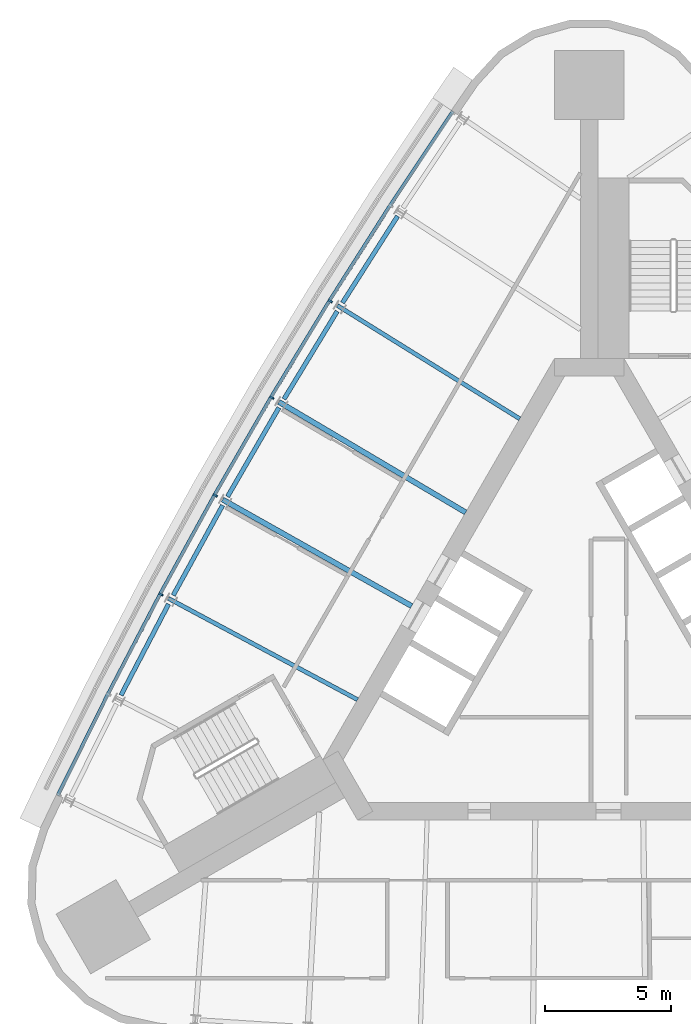
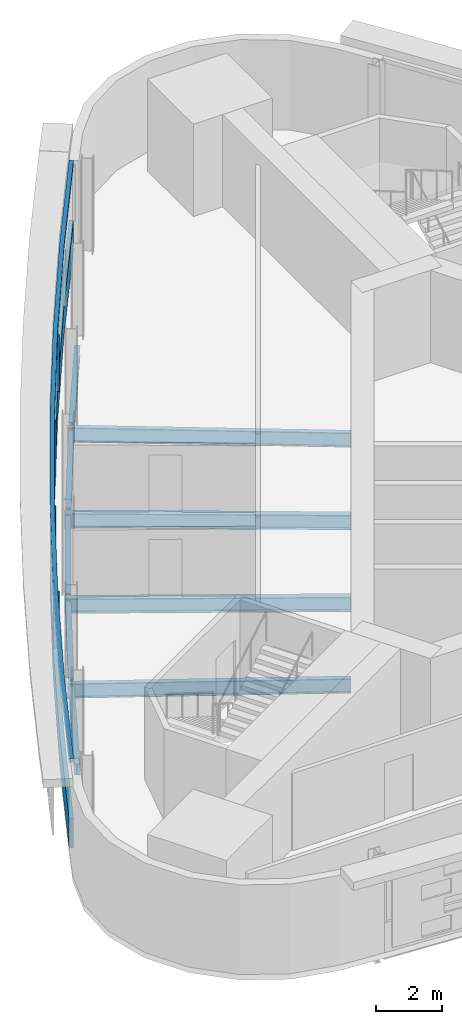
# One storey, part 3 of 12: 9 beams, 6 members, 1 element without a shape of its own.
"""IFC4 building model written with IfcOpenShell, lengths in metres."""

import ifcopenshell
import ifcopenshell.guid

model = None  # the IFC model being written
_history = None  # IfcOwnerHistory: only IFC2X3 demands one
_inside = {}  # id of a spatial element -> (the spatial element, [elements in it])
_under = {}  # id of a project, library or spatial element -> (it, [spatial elements below it])
_declared = {}  # id of a project -> (the project, [libraries it declares])
_typed = {}  # id of a type object -> (the type object, [elements of that type])
_made_of = {}  # id of a material, layer set ... -> (it, [elements and type objects made of it])


def new_model(schema):
    """Start an empty IFC model of exactly this schema.

    Asked for "IFC4X3", IfcOpenShell would pick the latest addendum, in which some entities
    have other attributes; the version numbers below select the first issue.
    IFC2X3 requires an IfcOwnerHistory on every rooted entity: one is made here for all.
    """
    global model, _history
    if schema == "IFC4X3":
        model = ifcopenshell.file(schema_version=(4, 3, 0, 0))
    else:
        model = ifcopenshell.file(schema=schema)
    _inside.clear()
    _under.clear()
    _declared.clear()
    _typed.clear()
    _made_of.clear()
    _history = None
    if model.schema == "IFC2X3":
        org = make("IfcOrganization", Name="unknown")
        user = make(
            "IfcPersonAndOrganization",
            ThePerson=make("IfcPerson", FamilyName="unknown"),
            TheOrganization=org,
        )
        app = make(
            "IfcApplication",
            ApplicationDeveloper=org,
            Version="unknown",
            ApplicationFullName="unknown",
            ApplicationIdentifier="unknown",
        )
        _history = make(
            "IfcOwnerHistory",
            OwningUser=user,
            OwningApplication=app,
            ChangeAction="ADDED",
            CreationDate=0,
        )
    return model


def make(cls, **values):
    """One entity of the class cls with the attributes given. An attribute that is None is left unset."""
    return model.create_entity(
        cls, **{name: value for name, value in values.items() if value is not None}
    )


def rooted(cls, **values):
    """An entity with a GlobalId (a new one), such as an element, a storey or a relation."""
    return make(cls, GlobalId=ifcopenshell.guid.new(), OwnerHistory=_history, **values)


def si_unit(unit_type, name, prefix=None):
    """IfcSIUnit, for example si_unit("LENGTHUNIT", "METRE", prefix="MILLI")."""
    return make("IfcSIUnit", UnitType=unit_type, Prefix=prefix, Name=name)


def assignment(units):
    """IfcUnitAssignment: the units of a project."""
    return None if units is None else make("IfcUnitAssignment", Units=units)


def point(xyz):
    """IfcCartesianPoint."""
    return None if xyz is None else make("IfcCartesianPoint", Coordinates=xyz)


def direction(xyz):
    """IfcDirection."""
    return None if xyz is None else make("IfcDirection", DirectionRatios=xyz)


def frame(location, z_axis=None, x_axis=None):
    """IfcAxis2Placement3D, a coordinate frame: its origin and axes. An axis left out is left unset."""
    return make(
        "IfcAxis2Placement3D",
        Location=point(location),
        Axis=direction(z_axis),
        RefDirection=direction(x_axis),
    )


def frame_2d(location, x_axis=None):
    """IfcAxis2Placement2D, a coordinate frame in the plane: its origin and x axis."""
    return make(
        "IfcAxis2Placement2D", Location=point(location), RefDirection=direction(x_axis)
    )


def origin():
    """The frame at (0, 0, 0) with its axes left unset."""
    return frame((0.0, 0.0, 0.0))


def origin_2d():
    """The frame at (0, 0) in the plane with its x axis left unset."""
    return frame_2d((0.0, 0.0))


def place(relative_to, where):
    """IfcLocalPlacement: puts the frame where relative to a parent placement (None: the world)."""
    return make(
        "IfcLocalPlacement", PlacementRelTo=relative_to, RelativePlacement=where
    )


def context(
    kind, dimensions, precision=None, world=None, true_north=None, identifier=None
):
    """IfcGeometricRepresentationContext, for example the 3D "Model" context."""
    return make(
        "IfcGeometricRepresentationContext",
        ContextIdentifier=identifier,
        ContextType=kind,
        CoordinateSpaceDimension=dimensions,
        Precision=precision,
        WorldCoordinateSystem=world,
        TrueNorth=true_north,
    )


def subcontext(parent, identifier, kind, view, scale=None):
    """IfcGeometricRepresentationSubContext, for example "Body" below "Model"."""
    return make(
        "IfcGeometricRepresentationSubContext",
        ContextIdentifier=identifier,
        ContextType=kind,
        ParentContext=parent,
        TargetScale=scale,
        TargetView=view,
    )


def project(units=None, contexts=None):
    """IfcProject with its units and contexts."""
    return rooted(
        "IfcProject",
        Name="project",
        RepresentationContexts=contexts,
        UnitsInContext=assignment(units),
    )


def spatial(cls, under=None, at=None, **own):
    """A site, building, storey or space (cls), placed at a placement, below another one or the project."""
    s = rooted(cls, ObjectPlacement=at, **own)
    if under is not None:
        _under.setdefault(under.id(), (under, []))[1].append(s)
    return s


def polyline(points):
    """IfcPolyline through the points."""
    return make("IfcPolyline", Points=[point(p) for p in points])


def profile(cls, at=None, kind="AREA", **sizes):
    """A parametric profile (cls). Its sizes go by their IFC names, for example OverallWidth=200.0."""
    return make(cls, ProfileType=kind, Position=at, **sizes)


def rectangle(**sizes):
    """IfcRectangleProfileDef."""
    return profile("IfcRectangleProfileDef", **sizes)


def i_section(**sizes):
    """IfcIShapeProfileDef."""
    return profile("IfcIShapeProfileDef", **sizes)


def outline(outer, holes=None, kind="AREA"):
    """IfcArbitraryClosedProfileDef: a profile drawn as a closed curve; with holes, ...WithVoids."""
    if holes is None:
        return make("IfcArbitraryClosedProfileDef", ProfileType=kind, OuterCurve=outer)
    return make(
        "IfcArbitraryProfileDefWithVoids",
        ProfileType=kind,
        OuterCurve=outer,
        InnerCurves=holes,
    )


def extrude(swept, where, along, depth):
    """IfcExtrudedAreaSolid: the profile swept, set in the frame where, extruded along a direction by depth."""
    return make(
        "IfcExtrudedAreaSolid",
        SweptArea=swept,
        Position=where,
        ExtrudedDirection=direction(along),
        Depth=depth,
    )


def shape(context_of_items, identifier, shape_type, items):
    """IfcShapeRepresentation: the items that make up one representation, for example the "Body"."""
    return make(
        "IfcShapeRepresentation",
        ContextOfItems=context_of_items,
        RepresentationIdentifier=identifier,
        RepresentationType=shape_type,
        Items=items,
    )


def material(Name=None, Category=None):
    """IfcMaterial."""
    return make("IfcMaterial", Name=Name, Category=Category)


def material_profile(
    of_material, cross_section, Name=None, Category=None, Priority=None
):
    """IfcMaterialProfile: a cross section and its material."""
    return make(
        "IfcMaterialProfile",
        Name=Name,
        Material=of_material,
        Profile=cross_section,
        Priority=Priority,
        Category=Category,
    )


def profile_set(profiles, Name=None, composite=None):
    """IfcMaterialProfileSet."""
    return make(
        "IfcMaterialProfileSet",
        Name=Name,
        MaterialProfiles=profiles,
        CompositeProfile=composite,
    )


def made_of(thing, what):
    """Note that an element or type object is made of a material, layer set ...; save() writes the relation."""
    if what is not None:
        _made_of.setdefault(what.id(), (what, []))[1].append(thing)
    return thing


def type_object(cls, material=None, **own):
    """A type object (cls), such as IfcWallType, which elements share."""
    return made_of(rooted(cls, **own), material)


def element(
    cls,
    number,
    at=None,
    inside=None,
    cuts=None,
    type_object=None,
    material=None,
    context=None,
    identifier="Body",
    shape_type=None,
    held_by="IfcProductDefinitionShape",
    body=None,
    shapes=None,
    **own,
):
    """One element of the class cls, such as IfcWall. Its Tag is "e" and its number.

    at: its placement. inside: the storey or other place that contains it. cuts: it is an
    opening in that element (IfcRelVoidsElement). A single representation is given by context,
    identifier, shape_type and body (its items); several are given by shapes. held_by: the class
    of the entity that holds the representations. save() writes the other relations.
    """
    e = rooted(cls, Tag="e%d" % number, ObjectPlacement=at, **own)
    if body is not None:
        shapes = [shape(context, identifier, shape_type, body)]
    if shapes is not None:
        e.Representation = make(held_by, Representations=shapes)
    if inside is not None:
        _inside.setdefault(inside.id(), (inside, []))[1].append(e)
    if cuts is not None:
        rooted(
            "IfcRelVoidsElement", RelatingBuildingElement=cuts, RelatedOpeningElement=e
        )
    if type_object is not None:
        _typed.setdefault(type_object.id(), (type_object, []))[1].append(e)
    return made_of(e, material)


def aggregate(whole, parts):
    """IfcRelAggregates: a whole, such as a stair, and the parts it consists of."""
    return rooted("IfcRelAggregates", RelatingObject=whole, RelatedObjects=parts)


def save(model, path):
    """Write the relations noted so far, then the file.

    IfcRelAggregates (storeys below a building ...), IfcRelContainedInSpatialStructure (elements
    in a storey), IfcRelDefinesByType, IfcRelAssociatesMaterial and IfcRelDeclares: one each for
    every whole, place, type object, material and project.
    """
    for whole, parts in _under.values():
        aggregate(whole, parts)
    for where, things in _inside.values():
        rooted(
            "IfcRelContainedInSpatialStructure",
            RelatedElements=things,
            RelatingStructure=where,
        )
    for kind, things in _typed.values():
        rooted("IfcRelDefinesByType", RelatedObjects=things, RelatingType=kind)
    for what, things in _made_of.values():
        rooted("IfcRelAssociatesMaterial", RelatedObjects=things, RelatingMaterial=what)
    for by, libraries in _declared.values():
        rooted("IfcRelDeclares", RelatingContext=by, RelatedDefinitions=libraries)
    model.write(path)


model = new_model("IFC4")

# Units and contexts
model_context = context("Model", 3, precision=1e-05, world=origin(), true_north=direction((0.0, 1.0)))
body_context = subcontext(model_context, "Body", "Model", "MODEL_VIEW")
ifc_project = project(units=[si_unit("LENGTHUNIT", "METRE"), si_unit("AREAUNIT", "SQUARE_METRE"), si_unit("VOLUMEUNIT", "CUBIC_METRE"), si_unit("PLANEANGLEUNIT", "RADIAN"), si_unit("MASSUNIT", "GRAM", prefix="KILO")], contexts=[model_context])

# Site, building, storey
site_placement = place(None, origin())
site = spatial("IfcSite", under=ifc_project, at=site_placement, CompositionType="ELEMENT")
building_placement = place(site_placement, origin())
building = spatial("IfcBuilding", under=site, at=building_placement, Name="Noor Cloister Tower", CompositionType="ELEMENT")
storey_placement = place(building_placement, frame((0.0, 0.0, 188.699951171875)))
storey = spatial("IfcBuildingStorey", under=building, at=storey_placement, Name="L48", CompositionType="ELEMENT", Elevation=188.699951171875)

# Curtain wall, members
ifc_material_1 = material(Name="Aluminium 6063-T6 anodised", Category="aluminium")
curtain_wall_type = type_object("IfcCurtainWallType", Name="Ribbon curtain wall, upper tower CW5", PredefinedType="NOTDEFINED", material=ifc_material_1)
curtain_wall_placement = place(storey_placement, origin())
curtain_wall = element("IfcCurtainWall", 1, at=curtain_wall_placement, inside=storey, type_object=curtain_wall_type, Name="CW5 L48 NW run 1", PredefinedType="NOTDEFINED")
ifc_material_2 = material(Name="Aluminium 6063-T6 anodised", Category="aluminium")
member_type_1 = type_object("IfcMemberType", Name="Head transom CW5 150", PredefinedType="USERDEFINED", material=ifc_material_2)
member_1_placement = place(storey_placement, frame((0.0, 0.0, 3.150146484375)))
member_1 = element("IfcMember", 2, at=member_1_placement, type_object=member_type_1, Name="CW5 head transom", ObjectType="TRANSOM", PredefinedType="USERDEFINED", context=body_context, shape_type="SweptSolid", body=[
    extrude(outline(polyline([(-5.494384765625, 21.341552734375), (-7.98974609375, 17.59716796875), (-10.404541015625, 13.7998046875), (-12.7373046875, 9.951904296875), (-14.9873046875, 6.054931640625), (-17.1533203125, 2.110595703125), (-19.234375, -1.879150390625), (-21.2294921875, -5.91259765625), (-21.10400390625, -5.974609375), (-19.109619140625, -1.942626953125), (-17.02978515625, 2.04443359375), (-14.865234375, 5.986083984375), (-12.61669921875, 9.880615234375), (-10.285400390625, 13.72607421875), (-7.872314453125, 17.520751953125), (-5.3779296875, 21.263916015625), (-5.494384765625, 21.341552734375)])), origin(), (0.0, 0.0, 1.0), 0.14990234375),
])
ifc_material_3 = material(Name="Aluminium 6063-T6 anodised", Category="aluminium")
ifc_material_profile_1 = material_profile(ifc_material_3, rectangle(XDim=0.179931640625, YDim=0.070068359375, at=origin_2d()), Name="180 x 70 mullion")
ifc_profile_set_1 = profile_set([ifc_material_profile_1], Name="Aluminium 6063-T6 anodised")
member_type_2 = type_object("IfcMemberType", Name="Mullion CW5 70 x 180", PredefinedType="MULLION", material=ifc_profile_set_1)
member_2_placement = place(storey_placement, frame((-10.319580078125, 13.7470703125, 1.10009765625), z_axis=(0.0, 0.0, 1.0), x_axis=(0.849525641799, -0.527547328612, 0.0)))
member_2 = element("IfcMember", 3, at=member_2_placement, type_object=member_type_2, Name="CW5 mullion 3", PredefinedType="MULLION", context=body_context, shape_type="SweptSolid", body=[
    extrude(rectangle(XDim=0.179931640625, YDim=0.070068359375, at=origin_2d()), origin(), (0.0, 0.0, 1.0), 2.050048828125),
])
member_3_placement = place(storey_placement, frame((-12.651123046875, 9.90087890625, 1.10009765625), z_axis=(0.0, 0.0, 1.0), x_axis=(0.860623876199, -0.509241144957, 0.0)))
member_3 = element("IfcMember", 4, at=member_3_placement, type_object=member_type_2, Name="CW5 mullion 4", PredefinedType="MULLION", context=body_context, shape_type="SweptSolid", body=[
    extrude(rectangle(XDim=0.179931640625, YDim=0.070068359375, at=origin_2d()), origin(), (0.0, 0.0, 1.0), 2.050048828125),
])
member_4_placement = place(storey_placement, frame((-14.900146484375, 6.005859375, 1.10009765625), z_axis=(0.0, 0.0, 1.0), x_axis=(0.871327706284, -0.490701567413, 0.0)))
member_4 = element("IfcMember", 5, at=member_4_placement, type_object=member_type_2, Name="CW5 mullion 5", PredefinedType="MULLION", context=body_context, shape_type="SweptSolid", body=[
    extrude(rectangle(XDim=0.179931640625, YDim=0.070068359375, at=origin_2d()), origin(), (0.0, 0.0, 1.0), 2.050048828125),
])
member_5_placement = place(storey_placement, frame((-17.065185546875, 2.0634765625, 1.10009765625), z_axis=(0.0, 0.0, 1.0), x_axis=(0.881632209176, -0.471937122659, 0.0)))
member_5 = element("IfcMember", 6, at=member_5_placement, type_object=member_type_2, Name="CW5 mullion 6", PredefinedType="MULLION", context=body_context, shape_type="SweptSolid", body=[
    extrude(rectangle(XDim=0.179931640625, YDim=0.070068359375, at=origin_2d()), origin(), (0.0, 0.0, 1.0), 2.050048828125),
])

# Beams
ifc_material_4 = material(Name="Steel ASTM A992 Gr 50", Category="steel")
ifc_material_profile_2 = material_profile(ifc_material_4, i_section(OverallWidth=0.166015625, OverallDepth=0.528076171875, WebThickness=0.009765625, FlangeThickness=0.013671875, FilletRadius=0.0126953125, at=origin_2d()), Name="W530x74")
ifc_profile_set_2 = profile_set([ifc_material_profile_2], Name="Steel ASTM A992 Gr 50")
beam_type_1 = type_object("IfcBeamType", Name="Radial beam W530x74", PredefinedType="BEAM", material=ifc_profile_set_2)
beam_1_placement = place(storey_placement, frame((-10.032470703125, 13.56884765625, -0.4638671875), z_axis=(0.849528515527, -0.527542700932, 0.0), x_axis=(0.527542700932, 0.849528515527, 0.0)))
element("IfcBeam", 7, at=beam_1_placement, inside=storey, type_object=beam_type_1, Name="Radial beam NW 03 L48", PredefinedType="BEAM", context=body_context, shape_type="SweptSolid", body=[
    extrude(i_section(OverallWidth=0.166015625, OverallDepth=0.528076171875, WebThickness=0.009765625, FlangeThickness=0.013671875, FilletRadius=0.0126953125, at=origin_2d()), origin(), (0.0, 0.0, 1.0), 8.549072265625),
])
beam_2_placement = place(storey_placement, frame((-16.76708984375, 1.90380859375, -0.4638671875), z_axis=(0.88163488664, -0.471932120817, 0.0), x_axis=(0.471932120817, 0.88163488664, 0.0)))
element("IfcBeam", 8, at=beam_2_placement, inside=storey, type_object=beam_type_1, Name="Radial beam NW 06 L48", PredefinedType="BEAM", context=body_context, shape_type="SweptSolid", body=[
    extrude(i_section(OverallWidth=0.166015625, OverallDepth=0.528076171875, WebThickness=0.009765625, FlangeThickness=0.013671875, FilletRadius=0.0126953125, at=origin_2d()), origin(), (0.0, 0.0, 1.0), 8.548828125),
])
ifc_material_5 = material(Name="Steel ASTM A992 Gr 50", Category="steel")
ifc_material_profile_3 = material_profile(ifc_material_5, i_section(OverallWidth=0.208984375, OverallDepth=0.532958984375, WebThickness=0.01025390625, FlangeThickness=0.015625, FilletRadius=0.0126953125, at=origin_2d()), Name="W530x92")
ifc_profile_set_3 = profile_set([ifc_material_profile_3], Name="Steel ASTM A992 Gr 50")
beam_type_2 = type_object("IfcBeamType", Name="Radial beam W530x92", PredefinedType="BEAM", material=ifc_profile_set_3)
for number, where, z_axis, x_axis, name in (
    (9, (-12.3603515625, 9.728759765625, -0.466552734375), (0.860625455568, -0.509238475794, 0.0), (0.509238475794, 0.860625455568, 0.0), "Radial beam NW 04 L48"),
    (10, (-14.605712890625, 5.83984375, -0.466552734375), (0.871340018191, -0.490679704796, 0.0), (0.490679704796, 0.871340018191, 0.0), "Radial beam NW 05 L48"),
):
    element("IfcBeam", number, at=place(storey_placement, frame(where, z_axis=z_axis, x_axis=x_axis)), inside=storey, type_object=beam_type_2, Name=name, PredefinedType="BEAM", context=body_context, shape_type="SweptSolid", body=[
        extrude(i_section(OverallWidth=0.208984375, OverallDepth=0.532958984375, WebThickness=0.01025390625, FlangeThickness=0.015625, FilletRadius=0.0126953125, at=origin_2d()), origin(), (0.0, 0.0, 1.0), 8.64111328125),
    ])

# Member
ifc_material_6 = material(Name="Aluminium 6063-T6 anodised", Category="aluminium")
member_type_3 = type_object("IfcMemberType", Name="Sill transom CW5 1100", PredefinedType="USERDEFINED", material=ifc_material_6)
member_6_placement = place(storey_placement, origin())
member_6 = element("IfcMember", 11, at=member_6_placement, type_object=member_type_3, Name="CW5 sill transom", ObjectType="TRANSOM", PredefinedType="USERDEFINED", context=body_context, shape_type="SweptSolid", body=[
    extrude(outline(polyline([(-5.494384765625, 21.341552734375), (-7.98974609375, 17.59716796875), (-10.404541015625, 13.7998046875), (-12.7373046875, 9.951904296875), (-14.9873046875, 6.054931640625), (-17.1533203125, 2.110595703125), (-19.234375, -1.879150390625), (-21.2294921875, -5.91259765625), (-21.10400390625, -5.974609375), (-19.109619140625, -1.942626953125), (-17.02978515625, 2.04443359375), (-14.865234375, 5.986083984375), (-12.61669921875, 9.880615234375), (-10.285400390625, 13.72607421875), (-7.872314453125, 17.520751953125), (-5.3779296875, 21.263916015625), (-5.494384765625, 21.341552734375)])), origin(), (0.0, 0.0, 1.0), 1.10009765625),
])

aggregate(curtain_wall, [member_2, member_3, member_4, member_5, member_6, member_1])

# Beams
ifc_material_7 = material(Name="Steel ASTM A992 Gr 50", Category="steel")
ifc_material_profile_4 = material_profile(ifc_material_7, i_section(OverallWidth=0.177978515625, OverallDepth=0.406005859375, WebThickness=0.0078125, FlangeThickness=0.0126953125, FilletRadius=0.01025390625, at=origin_2d()), Name="W410x60")
ifc_profile_set_4 = profile_set([ifc_material_profile_4], Name="Steel ASTM A992 Gr 50")
beam_type_3 = type_object("IfcBeamType", Name="Spandrel beam W410x60", PredefinedType="SPANDREL", material=ifc_profile_set_4)
for number, where, z_axis, x_axis, name in (
    (12, (-7.634521484375, 17.130859375, -0.40283203125), (-0.536613092899, -0.843828411781, 0.0), (0.843828411781, -0.536613092899, 0.0), "Spandrel beam NW 02 L48"),
    (13, (-10.039306640625, 13.34130859375, -0.40283203125), (-0.518436511351, -0.855116122932, 0.0), (0.855116122932, -0.518436511351, 0.0), "Spandrel beam NW 03 L48"),
):
    element("IfcBeam", number, at=place(storey_placement, frame(where, z_axis=z_axis, x_axis=x_axis)), inside=storey, type_object=beam_type_3, Name=name, PredefinedType="SPANDREL", context=body_context, shape_type="SweptSolid", body=[
        extrude(i_section(OverallWidth=0.177978515625, OverallDepth=0.406005859375, WebThickness=0.0078125, FlangeThickness=0.0126953125, FilletRadius=0.01025390625, at=origin_2d()), origin(), (0.0, 0.0, 1.0), 4.09423828125),
    ])
beam_3_placement = place(storey_placement, frame((-12.362548828125, 9.501220703125, -0.40283203125), z_axis=(-0.499961627599, -0.866047556967, 0.0), x_axis=(0.866047556967, -0.499961627599, 0.0)))
element("IfcBeam", 14, at=beam_3_placement, inside=storey, type_object=beam_type_3, Name="Spandrel beam NW 04 L48", PredefinedType="SPANDREL", context=body_context, shape_type="SweptSolid", body=[
    extrude(i_section(OverallWidth=0.177978515625, OverallDepth=0.406005859375, WebThickness=0.0078125, FlangeThickness=0.0126953125, FilletRadius=0.01025390625, at=origin_2d()), origin(), (0.0, 0.0, 1.0), 4.093994140625),
])
beam_4_placement = place(storey_placement, frame((-14.602783203125, 5.6123046875, -0.40283203125), z_axis=(-0.481348653878, -0.87652921994, 0.0), x_axis=(0.87652921994, -0.481348653878, 0.0)))
element("IfcBeam", 15, at=beam_4_placement, inside=storey, type_object=beam_type_3, Name="Spandrel beam NW 05 L48", PredefinedType="SPANDREL", context=body_context, shape_type="SweptSolid", body=[
    extrude(i_section(OverallWidth=0.177978515625, OverallDepth=0.406005859375, WebThickness=0.0078125, FlangeThickness=0.0126953125, FilletRadius=0.01025390625, at=origin_2d()), origin(), (0.0, 0.0, 1.0), 4.09423828125),
])
beam_5_placement = place(storey_placement, frame((-16.759521484375, 1.67626953125, -0.40283203125), z_axis=(-0.462462064821, -0.886639068957, 0.0), x_axis=(0.886639068957, -0.462462064821, 0.0)))
element("IfcBeam", 16, at=beam_5_placement, inside=storey, type_object=beam_type_3, Name="Spandrel beam NW 06 L48", PredefinedType="SPANDREL", context=body_context, shape_type="SweptSolid", body=[
    extrude(i_section(OverallWidth=0.177978515625, OverallDepth=0.406005859375, WebThickness=0.0078125, FlangeThickness=0.0126953125, FilletRadius=0.01025390625, at=origin_2d()), origin(), (0.0, 0.0, 1.0), 4.093994140625),
])

save(model, "model.ifc")
